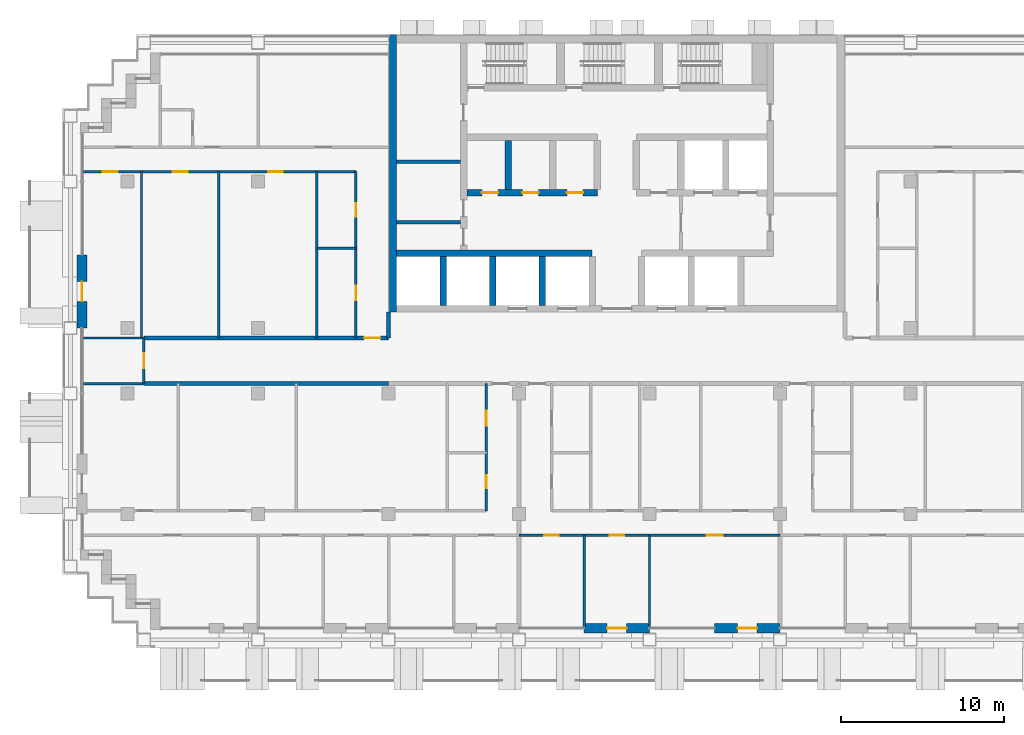
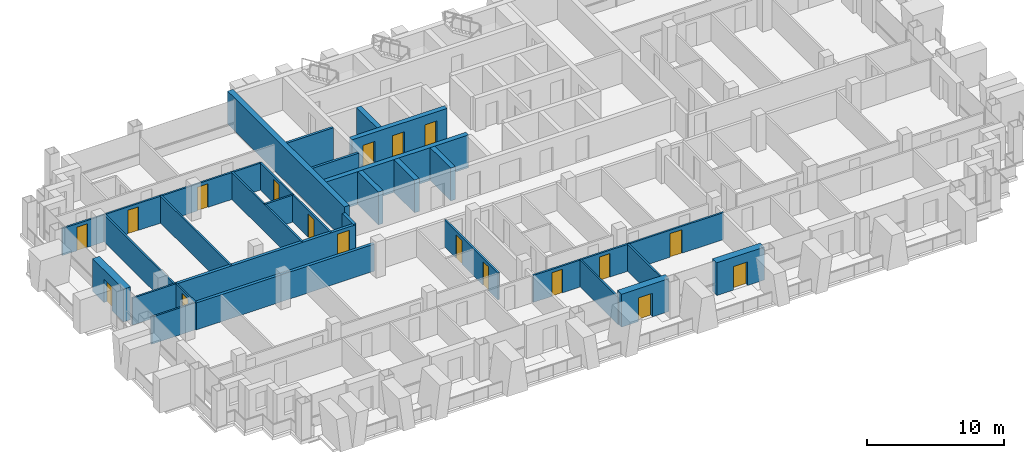
# One storey, part 8 of 16: 28 walls, 18 doors, 18 openings.
"""IFC4 building model written with IfcOpenShell, lengths in metres."""

from ifc_helpers import new_model, si_unit, direction, frame, frame_2d, origin, place, context, subcontext, project, spatial, rectangle, extrude, material, layer, layer_set, type_object, element, fill, save


model = new_model("IFC4")

# Units and contexts
model_context = context("Model", 3, precision=1e-05, world=origin(), true_north=direction((0.0, 1.0)))
body_context = subcontext(model_context, "Body", "Model", "MODEL_VIEW")
ifc_project = project(units=[si_unit("LENGTHUNIT", "METRE"), si_unit("AREAUNIT", "SQUARE_METRE"), si_unit("VOLUMEUNIT", "CUBIC_METRE"), si_unit("PLANEANGLEUNIT", "RADIAN"), si_unit("MASSUNIT", "GRAM", prefix="KILO")], contexts=[model_context])

# Site, building, storey
site_placement = place(None, origin())
site = spatial("IfcSite", under=ifc_project, at=site_placement, CompositionType="ELEMENT")
building_placement = place(site_placement, origin())
building = spatial("IfcBuilding", under=site, at=building_placement, Name="Vidyagriha Tower", CompositionType="ELEMENT")
storey_placement = place(building_placement, frame((0.0, 0.0, 132.60009765625)))
storey = spatial("IfcBuildingStorey", under=building, at=storey_placement, Name="L34", CompositionType="ELEMENT", Elevation=132.60009765625)

# Wall, opening, door
ifc_material_1 = material(Name="Precast concrete C40/50 with brick facing", Category="concrete")
ifc_layer_1 = layer(ifc_material_1, 0.60009765625)
ifc_layer_set_1 = layer_set([ifc_layer_1], Name="Precast concrete C40/50 with brick facing")
wall_type_1 = type_object("IfcWallType", Name="Brick-faced precast wall 600", PredefinedType="STANDARD", material=ifc_layer_set_1)
wall_1_placement = place(storey_placement, frame((-32.800048828125, 6.5, 0.0), z_axis=(0.0, 0.0, 1.0), x_axis=(0.0, -1.0, 0.0)))
wall_1 = element("IfcWall", 1, at=wall_1_placement, inside=storey, type_object=wall_type_1, Name="Brick door bay wall L34 R16.3", PredefinedType="STANDARD", context=body_context, shape_type="SweptSolid", body=[
    extrude(rectangle(XDim=4.5, YDim=0.60009765625, at=frame_2d((2.25, 0.0))), origin(), (0.0, 0.0, 1.0), 2.919921875),
])
opening_1_placement = place(wall_1_placement, frame((1.64990234375, 0.0, 0.0)))
opening_1 = element("IfcOpeningElement", 2, at=opening_1_placement, cuts=wall_1, Name="Opening D34-65", PredefinedType="OPENING", context=body_context, shape_type="SweptSolid", body=[
    extrude(rectangle(XDim=1.199951171875, YDim=2.10009765625, at=frame_2d((0.60009765625, 1.050048828125))), frame((0.0, 0.31005859375, 0.0), z_axis=(0.0, -1.0, 0.0), x_axis=(1.0, 0.0, 0.0)), (0.0, 0.0, 1.0), 0.6201171875),
])
ifc_material_2 = material(Name="Aluminium framed glazed sliding door", Category="aluminium")
door_type_1 = type_object("IfcDoorType", Name="Balcony sliding door 1200x2100", OperationType="NOTDEFINED", PredefinedType="DOOR", material=ifc_material_2)
door_1_placement = place(opening_1_placement, origin())
door_1 = element("IfcDoor", 3, at=door_1_placement, inside=storey, type_object=door_type_1, Name="Door D34-65", OperationType="SLIDING_TO_LEFT", OverallHeight=2.10009765625, OverallWidth=1.199951171875, PredefinedType="DOOR", context=body_context, shape_type="SweptSolid", body=[
    extrude(rectangle(XDim=1.199951171875, YDim=2.10009765625, at=frame_2d((0.60009765625, 1.050048828125))), frame((0.0, 0.02490234375, 0.0), z_axis=(0.0, -1.0, 0.0), x_axis=(1.0, 0.0, 0.0)), (0.0, 0.0, 1.0), 0.050048828125),
])
fill(opening_1, door_1)

wall_2_placement = place(storey_placement, frame((-2.0, -16.39990234375, 0.0)))
wall_2 = element("IfcWall", 4, at=wall_2_placement, inside=storey, type_object=wall_type_1, Name="Brick door bay wall L34 R23.8", PredefinedType="STANDARD", context=body_context, shape_type="SweptSolid", body=[
    extrude(rectangle(XDim=4.0, YDim=0.60009765625, at=frame_2d((2.0, 0.0))), origin(), (0.0, 0.0, 1.0), 2.919921875),
])
opening_2_placement = place(wall_2_placement, frame((1.39990234375, 0.0, 0.0)))
opening_2 = element("IfcOpeningElement", 5, at=opening_2_placement, cuts=wall_2, Name="Opening D34-70", PredefinedType="OPENING", context=body_context, shape_type="SweptSolid", body=[
    extrude(rectangle(XDim=1.199951171875, YDim=2.10009765625, at=frame_2d((0.60009765625, 1.050048828125))), frame((0.0, 0.31005859375, 0.0), z_axis=(0.0, -1.0, 0.0), x_axis=(1.0, 0.0, 0.0)), (0.0, 0.0, 1.0), 0.6201171875),
])
door_2_placement = place(opening_2_placement, origin())
door_2 = element("IfcDoor", 6, at=door_2_placement, inside=storey, type_object=door_type_1, Name="Door D34-70", OperationType="SLIDING_TO_LEFT", OverallHeight=2.10009765625, OverallWidth=1.199951171875, PredefinedType="DOOR", context=body_context, shape_type="SweptSolid", body=[
    extrude(rectangle(XDim=1.199951171875, YDim=2.10009765625, at=frame_2d((0.60009765625, 1.050048828125))), frame((0.0, 0.02490234375, 0.0), z_axis=(0.0, -1.0, 0.0), x_axis=(1.0, 0.0, 0.0)), (0.0, 0.0, 1.0), 0.050048828125),
])
fill(opening_2, door_2)

wall_3_placement = place(storey_placement, frame((6.0, -16.39990234375, 0.0)))
wall_3 = element("IfcWall", 7, at=wall_3_placement, inside=storey, type_object=wall_type_1, Name="Brick door bay wall L34 R23.10", PredefinedType="STANDARD", context=body_context, shape_type="SweptSolid", body=[
    extrude(rectangle(XDim=4.0, YDim=0.60009765625, at=frame_2d((2.0, 0.0))), origin(), (0.0, 0.0, 1.0), 2.919921875),
])
opening_3_placement = place(wall_3_placement, frame((1.39990234375, 0.0, 0.0)))
opening_3 = element("IfcOpeningElement", 8, at=opening_3_placement, cuts=wall_3, Name="Opening D34-71", PredefinedType="OPENING", context=body_context, shape_type="SweptSolid", body=[
    extrude(rectangle(XDim=1.199951171875, YDim=2.10009765625, at=frame_2d((0.60009765625, 1.050048828125))), frame((0.0, 0.31005859375, 0.0), z_axis=(0.0, -1.0, 0.0), x_axis=(1.0, 0.0, 0.0)), (0.0, 0.0, 1.0), 0.6201171875),
])
door_3_placement = place(opening_3_placement, origin())
door_3 = element("IfcDoor", 9, at=door_3_placement, inside=storey, type_object=door_type_1, Name="Door D34-71", OperationType="SLIDING_TO_LEFT", OverallHeight=2.10009765625, OverallWidth=1.199951171875, PredefinedType="DOOR", context=body_context, shape_type="SweptSolid", body=[
    extrude(rectangle(XDim=1.199951171875, YDim=2.10009765625, at=frame_2d((0.60009765625, 1.050048828125))), frame((0.0, 0.02490234375, 0.0), z_axis=(0.0, -1.0, 0.0), x_axis=(1.0, 0.0, 0.0)), (0.0, 0.0, 1.0), 0.050048828125),
])
fill(opening_3, door_3)

# Walls
ifc_material_3 = material(Name="Concrete C60/75", Category="concrete")
ifc_layer_2 = layer(ifc_material_3, 0.39990234375)
ifc_layer_set_2 = layer_set([ifc_layer_2], Name="Concrete C60/75")
wall_type_2 = type_object("IfcWallType", Name="Core shear wall 400 mm", PredefinedType="SHEAR", material=ifc_layer_set_2)
wall_4_placement = place(storey_placement, frame((-13.5, 6.60009765625, 0.0)))
element("IfcWall", 10, at=wall_4_placement, inside=storey, type_object=wall_type_2, Name="Core lobby south wall west", PredefinedType="SHEAR", context=body_context, shape_type="SweptSolid", body=[
    extrude(rectangle(XDim=11.977783203125, YDim=0.39990234375, at=frame_2d((5.98876953125, 0.0))), origin(), (0.0, 0.0, 1.0), 2.919921875),
])
for number, where, z_axis, x_axis, name in (
    (11, (-10.655517578125, 3.39990234375, 0.0), (0.0, 0.0, 1.0), (0.0, 1.0, 0.0), "Core bay wall S1"),
    (12, (-7.611083984375, 3.39990234375, 0.0), (0.0, 0.0, 1.0), (0.0, 1.0, 0.0), "Core bay wall S2"),
    (13, (-4.566650390625, 3.39990234375, 0.0), (0.0, 0.0, 1.0), (0.0, 1.0, 0.0), "Core bay wall S3"),
):
    element("IfcWall", number, at=place(storey_placement, frame(where, z_axis=z_axis, x_axis=x_axis)), inside=storey, type_object=wall_type_2, Name=name, PredefinedType="SHEAR", context=body_context, shape_type="SweptSolid", body=[
        extrude(rectangle(XDim=3.0, YDim=0.39990234375, at=frame_2d((1.5, 0.0))), origin(), (0.0, 0.0, 1.0), 2.919921875),
    ])

# Wall, openings, doors
wall_5_placement = place(storey_placement, frame((-9.199951171875, 10.300048828125, 0.0)))
wall_5 = element("IfcWall", 14, at=wall_5_placement, inside=storey, type_object=wall_type_2, Name="Core row N front wall", PredefinedType="SHEAR", context=body_context, shape_type="SweptSolid", body=[
    extrude(rectangle(XDim=8.0, YDim=0.39990234375, at=frame_2d((4.0, 0.0))), origin(), (0.0, 0.0, 1.0), 2.919921875),
])
opening_4_placement = place(wall_5_placement, frame((0.916748046875, 0.0, 0.0)))
opening_4 = element("IfcOpeningElement", 15, at=opening_4_placement, cuts=wall_5, Name="Opening D34-02", PredefinedType="OPENING", context=body_context, shape_type="SweptSolid", body=[
    extrude(rectangle(XDim=1.0, YDim=2.10009765625, at=frame_2d((0.5, 1.050048828125))), frame((0.0, 0.2099609375, 0.0), z_axis=(0.0, -1.0, 0.0), x_axis=(1.0, 0.0, 0.0)), (0.0, 0.0, 1.0), 0.419921875),
])
opening_5_placement = place(wall_5_placement, frame((3.39990234375, 0.0, 0.0)))
opening_5 = element("IfcOpeningElement", 16, at=opening_5_placement, cuts=wall_5, Name="Opening D34-03", PredefinedType="OPENING", context=body_context, shape_type="SweptSolid", body=[
    extrude(rectangle(XDim=1.0, YDim=2.10009765625, at=frame_2d((0.5, 1.050048828125))), frame((0.0, 0.2099609375, 0.0), z_axis=(0.0, -1.0, 0.0), x_axis=(1.0, 0.0, 0.0)), (0.0, 0.0, 1.0), 0.419921875),
])
opening_6_placement = place(wall_5_placement, frame((6.13330078125, 0.0, 0.0)))
opening_6 = element("IfcOpeningElement", 17, at=opening_6_placement, cuts=wall_5, Name="Opening D34-04", PredefinedType="OPENING", context=body_context, shape_type="SweptSolid", body=[
    extrude(rectangle(XDim=1.0, YDim=2.10009765625, at=frame_2d((0.5, 1.050048828125))), frame((0.0, 0.2099609375, 0.0), z_axis=(0.0, -1.0, 0.0), x_axis=(1.0, 0.0, 0.0)), (0.0, 0.0, 1.0), 0.419921875),
])
ifc_material_4 = material(Name="Hollow metal door leaf")
door_type_2 = type_object("IfcDoorType", Name="Core room door 1000 x 2100 mm EI 60", OperationType="NOTDEFINED", PredefinedType="DOOR", material=ifc_material_4)
door_4_placement = place(opening_4_placement, frame((1.0, 0.0, 0.0), z_axis=(0.0, 0.0, 1.0), x_axis=(-1.0, 0.0, 0.0)))
door_4 = element("IfcDoor", 18, at=door_4_placement, inside=storey, type_object=door_type_2, Name="Door Mechanical Riser Room 34.14", OperationType="SINGLE_SWING_RIGHT", OverallHeight=2.10009765625, OverallWidth=1.0, PredefinedType="DOOR", context=body_context, shape_type="SweptSolid", body=[
    extrude(rectangle(XDim=1.0, YDim=2.10009765625, at=frame_2d((0.5, 1.050048828125))), frame((0.0, 0.02490234375, 0.0), z_axis=(0.0, -1.0, 0.0), x_axis=(1.0, 0.0, 0.0)), (0.0, 0.0, 1.0), 0.050048828125),
])
fill(opening_4, door_4)
door_5_placement = place(opening_5_placement, frame((1.0, 0.0, 0.0), z_axis=(0.0, 0.0, 1.0), x_axis=(-1.0, 0.0, 0.0)))
door_5 = element("IfcDoor", 19, at=door_5_placement, inside=storey, type_object=door_type_2, Name="Door Storage Room 34.15", OperationType="SINGLE_SWING_RIGHT", OverallHeight=2.10009765625, OverallWidth=1.0, PredefinedType="DOOR", context=body_context, shape_type="SweptSolid", body=[
    extrude(rectangle(XDim=1.0, YDim=2.10009765625, at=frame_2d((0.5, 1.050048828125))), frame((0.0, 0.02490234375, 0.0), z_axis=(0.0, -1.0, 0.0), x_axis=(1.0, 0.0, 0.0)), (0.0, 0.0, 1.0), 0.050048828125),
])
fill(opening_5, door_5)
door_6_placement = place(opening_6_placement, frame((1.0, 0.0, 0.0), z_axis=(0.0, 0.0, 1.0), x_axis=(-1.0, 0.0, 0.0)))
door_6 = element("IfcDoor", 20, at=door_6_placement, inside=storey, type_object=door_type_2, Name="Door Communications Room 34.16", OperationType="SINGLE_SWING_LEFT", OverallHeight=2.10009765625, OverallWidth=1.0, PredefinedType="DOOR", context=body_context, shape_type="SweptSolid", body=[
    extrude(rectangle(XDim=1.0, YDim=2.10009765625, at=frame_2d((0.5, 1.050048828125))), frame((0.0, 0.02490234375, 0.0), z_axis=(0.0, -1.0, 0.0), x_axis=(1.0, 0.0, 0.0)), (0.0, 0.0, 1.0), 0.050048828125),
])
fill(opening_6, door_6)

# Walls
wall_6_placement = place(storey_placement, frame((-6.666748046875, 10.5, 0.0), z_axis=(0.0, 0.0, 1.0), x_axis=(0.0, 1.0, 0.0)))
element("IfcWall", 21, at=wall_6_placement, inside=storey, type_object=wall_type_2, Name="Core bay wall N1", PredefinedType="SHEAR", context=body_context, shape_type="SweptSolid", body=[
    extrude(rectangle(XDim=3.0, YDim=0.39990234375, at=frame_2d((1.5, 0.0))), origin(), (0.0, 0.0, 1.0), 2.919921875),
])
ifc_material_5 = material(Name="Concrete C60/75", Category="concrete")
ifc_layer_3 = layer(ifc_material_5, 0.449951171875)
ifc_layer_set_3 = layer_set([ifc_layer_3], Name="Concrete C60/75")
wall_type_3 = type_object("IfcWallType", Name="Core shear wall 450 mm", PredefinedType="SHEAR", material=ifc_layer_set_3)
wall_7_placement = place(storey_placement, frame((-13.72509765625, 3.0, 0.0), z_axis=(0.0, 0.0, 1.0), x_axis=(0.0, 1.0, 0.0)))
element("IfcWall", 22, at=wall_7_placement, inside=storey, type_object=wall_type_3, Name="Core west wall", PredefinedType="SHEAR", context=body_context, shape_type="SweptSolid", body=[
    extrude(rectangle(XDim=17.0, YDim=0.449951171875, at=frame_2d((8.5, 0.0))), origin(), (0.0, 0.0, 1.0), 2.919921875),
])
ifc_material_6 = material(Name="Fired clay brick masonry", Category="masonry")
ifc_layer_4 = layer(ifc_material_6, 0.25)
ifc_layer_set_4 = layer_set([ifc_layer_4], Name="Fired clay brick masonry")
wall_type_4 = type_object("IfcWallType", Name="Fired clay brick corridor wall 250", PredefinedType="PARTITIONING", material=ifc_layer_set_4)
wall_8_placement = place(storey_placement, frame((-14.0, -1.39990234375, 0.0), z_axis=(0.0, 0.0, 1.0), x_axis=(-1.0, 0.0, 0.0)))
element("IfcWall", 23, at=wall_8_placement, inside=storey, type_object=wall_type_4, Name="Wall all-L34-w063", PredefinedType="PARTITIONING", context=body_context, shape_type="SweptSolid", body=[
    extrude(rectangle(XDim=15.0, YDim=0.25, at=frame_2d((7.5, 0.0))), origin(), (0.0, 0.0, 1.0), 2.39990234375),
])

# Wall, opening, door
wall_9_placement = place(storey_placement, frame((-29.0, 1.39990234375, 0.0)))
wall_9 = element("IfcWall", 24, at=wall_9_placement, inside=storey, type_object=wall_type_4, Name="Wall all-L34-w088", PredefinedType="PARTITIONING", context=body_context, shape_type="SweptSolid", body=[
    extrude(rectangle(XDim=15.0, YDim=0.25, at=frame_2d((7.5, 0.0))), origin(), (0.0, 0.0, 1.0), 2.39990234375),
])
opening_7_placement = place(wall_9_placement, frame((13.5, 0.0, 0.0)))
opening_7 = element("IfcOpeningElement", 25, at=opening_7_placement, cuts=wall_9, Name="Opening D34-54", PredefinedType="OPENING", context=body_context, shape_type="SweptSolid", body=[
    extrude(rectangle(XDim=1.0, YDim=2.10009765625, at=frame_2d((0.5, 1.050048828125))), frame((0.0, 0.135009765625, 0.0), z_axis=(0.0, -1.0, 0.0), x_axis=(1.0, 0.0, 0.0)), (0.0, 0.0, 1.0), 0.27001953125),
])
ifc_material_7 = material(Name="Fire-rated timber door leaf EI 60", Category="wood")
door_type_3 = type_object("IfcDoorType", Name="Flat entrance fire door 1000x2100", OperationType="NOTDEFINED", PredefinedType="DOOR", material=ifc_material_7)
door_7_placement = place(opening_7_placement, origin())
door_7 = element("IfcDoor", 26, at=door_7_placement, inside=storey, type_object=door_type_3, Name="Door D34-54", OperationType="SINGLE_SWING_RIGHT", OverallHeight=2.10009765625, OverallWidth=1.0, PredefinedType="DOOR", context=body_context, shape_type="SweptSolid", body=[
    extrude(rectangle(XDim=1.0, YDim=2.10009765625, at=frame_2d((0.5, 1.050048828125))), frame((0.0, 0.02490234375, 0.0), z_axis=(0.0, -1.0, 0.0), x_axis=(1.0, 0.0, 0.0)), (0.0, 0.0, 1.0), 0.050048828125),
])
fill(opening_7, door_7)

# Wall
wall_10_placement = place(storey_placement, frame((-14.0, 3.0, 0.0), z_axis=(0.0, 0.0, 1.0), x_axis=(0.0, -1.0, 0.0)))
element("IfcWall", 27, at=wall_10_placement, inside=storey, type_object=wall_type_4, Name="Wall all-L34-w113", PredefinedType="PARTITIONING", context=body_context, shape_type="SweptSolid", body=[
    extrude(rectangle(XDim=1.60009765625, YDim=0.25, at=frame_2d((0.800048828125, 0.0))), origin(), (0.0, 0.0, 1.0), 2.39990234375),
])

# Wall, openings, doors
ifc_material_8 = material(Name="Gypsum board partition")
ifc_layer_5 = layer(ifc_material_8, 0.14990234375)
ifc_layer_set_5 = layer_set([ifc_layer_5], Name="Gypsum board partition")
wall_type_5 = type_object("IfcWallType", Name="Gypsum board partition 150", PredefinedType="PARTITIONING", material=ifc_layer_set_5)
wall_11_placement = place(storey_placement, frame((10.0, -10.699951171875, 0.0), z_axis=(0.0, 0.0, 1.0), x_axis=(-1.0, 0.0, 0.0)))
wall_11 = element("IfcWall", 28, at=wall_11_placement, inside=storey, type_object=wall_type_5, Name="Wall all-L34-w034", PredefinedType="PARTITIONING", context=body_context, shape_type="SweptSolid", body=[
    extrude(rectangle(XDim=16.0, YDim=0.14990234375, at=frame_2d((8.0, 0.0))), origin(), (0.0, 0.0, 1.0), 2.39990234375),
])
opening_8_placement = place(wall_11_placement, frame((13.550048828125, 0.0, 0.0)))
opening_8 = element("IfcOpeningElement", 29, at=opening_8_placement, cuts=wall_11, Name="Opening D34-31", PredefinedType="OPENING", context=body_context, shape_type="SweptSolid", body=[
    extrude(rectangle(XDim=0.89990234375, YDim=2.10009765625, at=frame_2d((0.449951171875, 1.050048828125))), frame((0.0, 0.0849609375, 0.0), z_axis=(0.0, -1.0, 0.0), x_axis=(1.0, 0.0, 0.0)), (0.0, 0.0, 1.0), 0.169921875),
])
opening_9_placement = place(wall_11_placement, frame((9.550048828125, 0.0, 0.0)))
opening_9 = element("IfcOpeningElement", 30, at=opening_9_placement, cuts=wall_11, Name="Opening D34-32", PredefinedType="OPENING", context=body_context, shape_type="SweptSolid", body=[
    extrude(rectangle(XDim=0.89990234375, YDim=2.10009765625, at=frame_2d((0.449951171875, 1.050048828125))), frame((0.0, 0.0849609375, 0.0), z_axis=(0.0, -1.0, 0.0), x_axis=(1.0, 0.0, 0.0)), (0.0, 0.0, 1.0), 0.169921875),
])
opening_10_placement = place(wall_11_placement, frame((3.5, 0.0, 0.0)))
opening_10 = element("IfcOpeningElement", 31, at=opening_10_placement, cuts=wall_11, Name="Opening D34-33", PredefinedType="OPENING", context=body_context, shape_type="SweptSolid", body=[
    extrude(rectangle(XDim=1.0, YDim=2.10009765625, at=frame_2d((0.5, 1.050048828125))), frame((0.0, 0.0849609375, 0.0), z_axis=(0.0, -1.0, 0.0), x_axis=(1.0, 0.0, 0.0)), (0.0, 0.0, 1.0), 0.169921875),
])
ifc_material_9 = material(Name="Timber door leaf", Category="wood")
door_type_4 = type_object("IfcDoorType", Name="Room door 1000x2100", OperationType="NOTDEFINED", PredefinedType="DOOR", material=ifc_material_9)
door_8_placement = place(opening_10_placement, origin())
door_8 = element("IfcDoor", 32, at=door_8_placement, inside=storey, type_object=door_type_4, Name="Door D34-33", OperationType="SINGLE_SWING_RIGHT", OverallHeight=2.10009765625, OverallWidth=1.0, PredefinedType="DOOR", context=body_context, shape_type="SweptSolid", body=[
    extrude(rectangle(XDim=1.0, YDim=2.10009765625, at=frame_2d((0.5, 1.050048828125))), frame((0.0, 0.02490234375, 0.0), z_axis=(0.0, -1.0, 0.0), x_axis=(1.0, 0.0, 0.0)), (0.0, 0.0, 1.0), 0.050048828125),
])
fill(opening_10, door_8)
ifc_material_10 = material(Name="Timber door leaf", Category="wood")
door_type_5 = type_object("IfcDoorType", Name="Room door 900x2100", OperationType="NOTDEFINED", PredefinedType="DOOR", material=ifc_material_10)
door_9_placement = place(opening_8_placement, origin())
door_9 = element("IfcDoor", 33, at=door_9_placement, inside=storey, type_object=door_type_5, Name="Door D34-31", OperationType="SINGLE_SWING_RIGHT", OverallHeight=2.10009765625, OverallWidth=0.89990234375, PredefinedType="DOOR", context=body_context, shape_type="SweptSolid", body=[
    extrude(rectangle(XDim=0.89990234375, YDim=2.10009765625, at=frame_2d((0.449951171875, 1.050048828125))), frame((0.0, 0.02490234375, 0.0), z_axis=(0.0, -1.0, 0.0), x_axis=(1.0, 0.0, 0.0)), (0.0, 0.0, 1.0), 0.050048828125),
])
fill(opening_8, door_9)
door_10_placement = place(opening_9_placement, origin())
door_10 = element("IfcDoor", 34, at=door_10_placement, inside=storey, type_object=door_type_5, Name="Door D34-32", OperationType="SINGLE_SWING_RIGHT", OverallHeight=2.10009765625, OverallWidth=0.89990234375, PredefinedType="DOOR", context=body_context, shape_type="SweptSolid", body=[
    extrude(rectangle(XDim=0.89990234375, YDim=2.10009765625, at=frame_2d((0.449951171875, 1.050048828125))), frame((0.0, 0.02490234375, 0.0), z_axis=(0.0, -1.0, 0.0), x_axis=(1.0, 0.0, 0.0)), (0.0, 0.0, 1.0), 0.050048828125),
])
fill(opening_9, door_10)

# Walls
wall_12_placement = place(storey_placement, frame((-2.0, -10.699951171875, 0.0), z_axis=(0.0, 0.0, 1.0), x_axis=(0.0, -1.0, 0.0)))
element("IfcWall", 35, at=wall_12_placement, inside=storey, type_object=wall_type_5, Name="Wall all-L34-w038", PredefinedType="PARTITIONING", context=body_context, shape_type="SweptSolid", body=[
    extrude(rectangle(XDim=5.62109375, YDim=0.14990234375, at=frame_2d((2.810546875, 0.0))), origin(), (0.0, 0.0, 1.0), 2.39990234375),
])
wall_13_placement = place(storey_placement, frame((2.0, -10.699951171875, 0.0), z_axis=(0.0, 0.0, 1.0), x_axis=(0.0, -1.0, 0.0)))
element("IfcWall", 36, at=wall_13_placement, inside=storey, type_object=wall_type_5, Name="Wall all-L34-w039", PredefinedType="PARTITIONING", context=body_context, shape_type="SweptSolid", body=[
    extrude(rectangle(XDim=5.610107421875, YDim=0.14990234375, at=frame_2d((2.80517578125, 0.0))), origin(), (0.0, 0.0, 1.0), 2.39990234375),
])
wall_14_placement = place(storey_placement, frame((-29.0, -1.39990234375, 0.0), z_axis=(0.0, 0.0, 1.0), x_axis=(-1.0, 0.0, 0.0)))
element("IfcWall", 37, at=wall_14_placement, inside=storey, type_object=wall_type_5, Name="Wall all-L34-w064", PredefinedType="PARTITIONING", context=body_context, shape_type="SweptSolid", body=[
    extrude(rectangle(XDim=3.719970703125, YDim=0.14990234375, at=frame_2d((1.85986328125, 0.0))), origin(), (0.0, 0.0, 1.0), 2.39990234375),
])
wall_15_placement = place(storey_placement, frame((-18.39990234375, 6.89990234375, 0.0)))
element("IfcWall", 38, at=wall_15_placement, inside=storey, type_object=wall_type_5, Name="Wall all-L34-w070", PredefinedType="PARTITIONING", context=body_context, shape_type="SweptSolid", body=[
    extrude(rectangle(XDim=2.39990234375, YDim=0.14990234375, at=frame_2d((1.199951171875, 0.0))), origin(), (0.0, 0.0, 1.0), 2.39990234375),
])
for number, where, z_axis, x_axis, name in (
    (39, (-18.39990234375, 1.39990234375, 0.0), (0.0, 0.0, 1.0), (0.0, 1.0, 0.0), "Wall all-L34-w071"),
    (40, (-24.39990234375, 1.39990234375, 0.0), (0.0, 0.0, 1.0), (0.0, 1.0, 0.0), "Wall all-L34-w072"),
    (41, (-29.14990234375, 1.39990234375, 0.0), (0.0, 0.0, 1.0), (0.0, 1.0, 0.0), "Wall all-L34-w073"),
):
    element("IfcWall", number, at=place(storey_placement, frame(where, z_axis=z_axis, x_axis=x_axis)), inside=storey, type_object=wall_type_5, Name=name, PredefinedType="PARTITIONING", context=body_context, shape_type="SweptSolid", body=[
        extrude(rectangle(XDim=10.2001953125, YDim=0.14990234375, at=frame_2d((5.10009765625, 0.0))), origin(), (0.0, 0.0, 1.0), 2.39990234375),
    ])

# Wall, openings, doors
wall_16_placement = place(storey_placement, frame((-16.0, 11.60009765625, 0.0), z_axis=(0.0, 0.0, 1.0), x_axis=(-1.0, 0.0, 0.0)))
wall_16 = element("IfcWall", 42, at=wall_16_placement, inside=storey, type_object=wall_type_5, Name="Wall all-L34-w074", PredefinedType="PARTITIONING", context=body_context, shape_type="SweptSolid", body=[
    extrude(rectangle(XDim=16.719970703125, YDim=0.14990234375, at=frame_2d((8.35986328125, 0.0))), origin(), (0.0, 0.0, 1.0), 2.39990234375),
])
opening_11_placement = place(wall_16_placement, frame((4.48193359375, 0.0, 0.0)))
opening_11 = element("IfcOpeningElement", 43, at=opening_11_placement, cuts=wall_16, Name="Opening D34-47", PredefinedType="OPENING", context=body_context, shape_type="SweptSolid", body=[
    extrude(rectangle(XDim=0.89990234375, YDim=2.10009765625, at=frame_2d((0.449951171875, 1.050048828125))), frame((0.0, 0.0849609375, 0.0), z_axis=(0.0, -1.0, 0.0), x_axis=(1.0, 0.0, 0.0)), (0.0, 0.0, 1.0), 0.169921875),
])
opening_12_placement = place(wall_16_placement, frame((10.324951171875, 0.0, 0.0)))
opening_12 = element("IfcOpeningElement", 44, at=opening_12_placement, cuts=wall_16, Name="Opening D34-48", PredefinedType="OPENING", context=body_context, shape_type="SweptSolid", body=[
    extrude(rectangle(XDim=0.89990234375, YDim=2.10009765625, at=frame_2d((0.449951171875, 1.050048828125))), frame((0.0, 0.0849609375, 0.0), z_axis=(0.0, -1.0, 0.0), x_axis=(1.0, 0.0, 0.0)), (0.0, 0.0, 1.0), 0.169921875),
])
opening_13_placement = place(wall_16_placement, frame((14.617919921875, 0.0, 0.0)))
opening_13 = element("IfcOpeningElement", 45, at=opening_13_placement, cuts=wall_16, Name="Opening D34-49", PredefinedType="OPENING", context=body_context, shape_type="SweptSolid", body=[
    extrude(rectangle(XDim=0.89990234375, YDim=2.10009765625, at=frame_2d((0.449951171875, 1.050048828125))), frame((0.0, 0.0849609375, 0.0), z_axis=(0.0, -1.0, 0.0), x_axis=(1.0, 0.0, 0.0)), (0.0, 0.0, 1.0), 0.169921875),
])
door_11_placement = place(opening_11_placement, origin())
door_11 = element("IfcDoor", 46, at=door_11_placement, inside=storey, type_object=door_type_5, Name="Door D34-47", OperationType="SINGLE_SWING_LEFT", OverallHeight=2.10009765625, OverallWidth=0.89990234375, PredefinedType="DOOR", context=body_context, shape_type="SweptSolid", body=[
    extrude(rectangle(XDim=0.89990234375, YDim=2.10009765625, at=frame_2d((0.449951171875, 1.050048828125))), frame((0.0, 0.02490234375, 0.0), z_axis=(0.0, -1.0, 0.0), x_axis=(1.0, 0.0, 0.0)), (0.0, 0.0, 1.0), 0.050048828125),
])
fill(opening_11, door_11)
door_12_placement = place(opening_12_placement, origin())
door_12 = element("IfcDoor", 47, at=door_12_placement, inside=storey, type_object=door_type_5, Name="Door D34-48", OperationType="SINGLE_SWING_RIGHT", OverallHeight=2.10009765625, OverallWidth=0.89990234375, PredefinedType="DOOR", context=body_context, shape_type="SweptSolid", body=[
    extrude(rectangle(XDim=0.89990234375, YDim=2.10009765625, at=frame_2d((0.449951171875, 1.050048828125))), frame((0.0, 0.02490234375, 0.0), z_axis=(0.0, -1.0, 0.0), x_axis=(1.0, 0.0, 0.0)), (0.0, 0.0, 1.0), 0.050048828125),
])
fill(opening_12, door_12)
door_13_placement = place(opening_13_placement, origin())
door_13 = element("IfcDoor", 48, at=door_13_placement, inside=storey, type_object=door_type_5, Name="Door D34-49", OperationType="SINGLE_SWING_RIGHT", OverallHeight=2.10009765625, OverallWidth=0.89990234375, PredefinedType="DOOR", context=body_context, shape_type="SweptSolid", body=[
    extrude(rectangle(XDim=0.89990234375, YDim=2.10009765625, at=frame_2d((0.449951171875, 1.050048828125))), frame((0.0, 0.02490234375, 0.0), z_axis=(0.0, -1.0, 0.0), x_axis=(1.0, 0.0, 0.0)), (0.0, 0.0, 1.0), 0.050048828125),
])
fill(opening_13, door_13)

# Wall
wall_17_placement = place(storey_placement, frame((-32.719970703125, 1.39990234375, 0.0)))
element("IfcWall", 49, at=wall_17_placement, inside=storey, type_object=wall_type_5, Name="Wall all-L34-w089", PredefinedType="PARTITIONING", context=body_context, shape_type="SweptSolid", body=[
    extrude(rectangle(XDim=3.719970703125, YDim=0.14990234375, at=frame_2d((1.85986328125, 0.0))), origin(), (0.0, 0.0, 1.0), 2.39990234375),
])

# Wall, opening, door
wall_18_placement = place(storey_placement, frame((-29.0, 1.39990234375, 0.0), z_axis=(0.0, 0.0, 1.0), x_axis=(0.0, -1.0, 0.0)))
wall_18 = element("IfcWall", 50, at=wall_18_placement, inside=storey, type_object=wall_type_5, Name="Wall all-L34-w108", PredefinedType="PARTITIONING", context=body_context, shape_type="SweptSolid", body=[
    extrude(rectangle(XDim=2.7998046875, YDim=0.14990234375, at=frame_2d((1.39990234375, 0.0))), origin(), (0.0, 0.0, 1.0), 2.39990234375),
])
opening_14_placement = place(wall_18_placement, frame((0.949951171875, 0.0, 0.0)))
opening_14 = element("IfcOpeningElement", 51, at=opening_14_placement, cuts=wall_18, Name="Opening D34-63", PredefinedType="OPENING", context=body_context, shape_type="SweptSolid", body=[
    extrude(rectangle(XDim=0.89990234375, YDim=2.10009765625, at=frame_2d((0.449951171875, 1.050048828125))), frame((0.0, 0.0849609375, 0.0), z_axis=(0.0, -1.0, 0.0), x_axis=(1.0, 0.0, 0.0)), (0.0, 0.0, 1.0), 0.169921875),
])
door_14_placement = place(opening_14_placement, origin())
door_14 = element("IfcDoor", 52, at=door_14_placement, inside=storey, type_object=door_type_5, Name="Door D34-63", OperationType="SINGLE_SWING_RIGHT", OverallHeight=2.10009765625, OverallWidth=0.89990234375, PredefinedType="DOOR", context=body_context, shape_type="SweptSolid", body=[
    extrude(rectangle(XDim=0.89990234375, YDim=2.10009765625, at=frame_2d((0.449951171875, 1.050048828125))), frame((0.0, 0.02490234375, 0.0), z_axis=(0.0, -1.0, 0.0), x_axis=(1.0, 0.0, 0.0)), (0.0, 0.0, 1.0), 0.050048828125),
])
fill(opening_14, door_14)

# Wall, openings, doors
ifc_material_11 = material(Name="Moisture resistant gypsum board partition")
ifc_layer_6 = layer(ifc_material_11, 0.14990234375)
ifc_layer_set_6 = layer_set([ifc_layer_6], Name="Moisture resistant gypsum board partition")
wall_type_6 = type_object("IfcWallType", Name="Gypsum board wet-area partition 150", PredefinedType="PARTITIONING", material=ifc_layer_set_6)
wall_19_placement = place(storey_placement, frame((-8.0, -9.199951171875, 0.0), z_axis=(0.0, 0.0, 1.0), x_axis=(0.0, 1.0, 0.0)))
wall_19 = element("IfcWall", 53, at=wall_19_placement, inside=storey, type_object=wall_type_6, Name="Wall all-L34-w001", PredefinedType="PARTITIONING", context=body_context, shape_type="SweptSolid", body=[
    extrude(rectangle(XDim=7.800048828125, YDim=0.14990234375, at=frame_2d((3.89990234375, 0.0))), origin(), (0.0, 0.0, 1.0), 2.39990234375),
])
opening_15_placement = place(wall_19_placement, frame((5.22509765625, 0.0, 0.0)))
opening_15 = element("IfcOpeningElement", 54, at=opening_15_placement, cuts=wall_19, Name="Opening D34-15", PredefinedType="OPENING", context=body_context, shape_type="SweptSolid", body=[
    extrude(rectangle(XDim=0.89990234375, YDim=2.10009765625, at=frame_2d((0.449951171875, 1.050048828125))), frame((0.0, 0.0849609375, 0.0), z_axis=(0.0, -1.0, 0.0), x_axis=(1.0, 0.0, 0.0)), (0.0, 0.0, 1.0), 0.169921875),
])
opening_16_placement = place(wall_19_placement, frame((1.375, 0.0, 0.0)))
opening_16 = element("IfcOpeningElement", 55, at=opening_16_placement, cuts=wall_19, Name="Opening D34-16", PredefinedType="OPENING", context=body_context, shape_type="SweptSolid", body=[
    extrude(rectangle(XDim=0.800048828125, YDim=2.10009765625, at=frame_2d((0.39990234375, 1.050048828125))), frame((0.0, 0.0849609375, 0.0), z_axis=(0.0, -1.0, 0.0), x_axis=(1.0, 0.0, 0.0)), (0.0, 0.0, 1.0), 0.169921875),
])
ifc_material_12 = material(Name="Timber door leaf", Category="wood")
door_type_6 = type_object("IfcDoorType", Name="Bathroom door 800x2100", OperationType="NOTDEFINED", PredefinedType="DOOR", material=ifc_material_12)
door_15_placement = place(opening_16_placement, origin())
door_15 = element("IfcDoor", 56, at=door_15_placement, inside=storey, type_object=door_type_6, Name="Door D34-16", OperationType="SINGLE_SWING_RIGHT", OverallHeight=2.10009765625, OverallWidth=0.800048828125, PredefinedType="DOOR", context=body_context, shape_type="SweptSolid", body=[
    extrude(rectangle(XDim=0.800048828125, YDim=2.10009765625, at=frame_2d((0.39990234375, 1.050048828125))), frame((0.0, 0.02490234375, 0.0), z_axis=(0.0, -1.0, 0.0), x_axis=(1.0, 0.0, 0.0)), (0.0, 0.0, 1.0), 0.050048828125),
])
fill(opening_16, door_15)
ifc_material_13 = material(Name="Timber door leaf", Category="wood")
door_type_7 = type_object("IfcDoorType", Name="Kitchen door 900x2100", OperationType="NOTDEFINED", PredefinedType="DOOR", material=ifc_material_13)
door_16_placement = place(opening_15_placement, origin())
door_16 = element("IfcDoor", 57, at=door_16_placement, inside=storey, type_object=door_type_7, Name="Door D34-15", OperationType="SINGLE_SWING_LEFT", OverallHeight=2.10009765625, OverallWidth=0.89990234375, PredefinedType="DOOR", context=body_context, shape_type="SweptSolid", body=[
    extrude(rectangle(XDim=0.89990234375, YDim=2.10009765625, at=frame_2d((0.449951171875, 1.050048828125))), frame((0.0, 0.02490234375, 0.0), z_axis=(0.0, -1.0, 0.0), x_axis=(1.0, 0.0, 0.0)), (0.0, 0.0, 1.0), 0.050048828125),
])
fill(opening_15, door_16)

wall_20_placement = place(storey_placement, frame((-16.0, 1.39990234375, 0.0), z_axis=(0.0, 0.0, 1.0), x_axis=(0.0, 1.0, 0.0)))
wall_20 = element("IfcWall", 58, at=wall_20_placement, inside=storey, type_object=wall_type_6, Name="Wall all-L34-w067", PredefinedType="PARTITIONING", context=body_context, shape_type="SweptSolid", body=[
    extrude(rectangle(XDim=10.2001953125, YDim=0.14990234375, at=frame_2d((5.10009765625, 0.0))), origin(), (0.0, 0.0, 1.0), 2.39990234375),
])
opening_17_placement = place(wall_20_placement, frame((2.300048828125, 0.0, 0.0)))
opening_17 = element("IfcOpeningElement", 59, at=opening_17_placement, cuts=wall_20, Name="Opening D34-45", PredefinedType="OPENING", context=body_context, shape_type="SweptSolid", body=[
    extrude(rectangle(XDim=0.89990234375, YDim=2.10009765625, at=frame_2d((0.449951171875, 1.050048828125))), frame((0.0, 0.0849609375, 0.0), z_axis=(0.0, -1.0, 0.0), x_axis=(1.0, 0.0, 0.0)), (0.0, 0.0, 1.0), 0.169921875),
])
opening_18_placement = place(wall_20_placement, frame((7.449951171875, 0.0, 0.0)))
opening_18 = element("IfcOpeningElement", 60, at=opening_18_placement, cuts=wall_20, Name="Opening D34-46", PredefinedType="OPENING", context=body_context, shape_type="SweptSolid", body=[
    extrude(rectangle(XDim=0.800048828125, YDim=2.10009765625, at=frame_2d((0.39990234375, 1.050048828125))), frame((0.0, 0.0849609375, 0.0), z_axis=(0.0, -1.0, 0.0), x_axis=(1.0, 0.0, 0.0)), (0.0, 0.0, 1.0), 0.169921875),
])
door_17_placement = place(opening_18_placement, origin())
door_17 = element("IfcDoor", 61, at=door_17_placement, inside=storey, type_object=door_type_6, Name="Door D34-46", OperationType="SINGLE_SWING_RIGHT", OverallHeight=2.10009765625, OverallWidth=0.800048828125, PredefinedType="DOOR", context=body_context, shape_type="SweptSolid", body=[
    extrude(rectangle(XDim=0.800048828125, YDim=2.10009765625, at=frame_2d((0.39990234375, 1.050048828125))), frame((0.0, 0.02490234375, 0.0), z_axis=(0.0, -1.0, 0.0), x_axis=(1.0, 0.0, 0.0)), (0.0, 0.0, 1.0), 0.050048828125),
])
fill(opening_18, door_17)
door_18_placement = place(opening_17_placement, origin())
door_18 = element("IfcDoor", 62, at=door_18_placement, inside=storey, type_object=door_type_7, Name="Door D34-45", OperationType="SINGLE_SWING_RIGHT", OverallHeight=2.10009765625, OverallWidth=0.89990234375, PredefinedType="DOOR", context=body_context, shape_type="SweptSolid", body=[
    extrude(rectangle(XDim=0.89990234375, YDim=2.10009765625, at=frame_2d((0.449951171875, 1.050048828125))), frame((0.0, 0.02490234375, 0.0), z_axis=(0.0, -1.0, 0.0), x_axis=(1.0, 0.0, 0.0)), (0.0, 0.0, 1.0), 0.050048828125),
])
fill(opening_17, door_18)

# Walls
ifc_material_14 = material(Name="Blockwork 15 MPa", Category="masonry")
ifc_layer_7 = layer(ifc_material_14, 0.199951171875)
ifc_layer_set_7 = layer_set([ifc_layer_7], Name="Blockwork 15 MPa")
wall_type_7 = type_object("IfcWallType", Name="Service room partition 200 mm", PredefinedType="PARTITIONING", material=ifc_layer_set_7)
for number, where, name in (
    (63, (-13.5, 8.5, 0.0), "Core room partition W1"),
    (64, (-13.5, 12.199951171875, 0.0), "Core room partition W2"),
):
    element("IfcWall", number, at=place(storey_placement, frame(where)), inside=storey, type_object=wall_type_7, Name=name, PredefinedType="PARTITIONING", context=body_context, shape_type="SweptSolid", body=[
        extrude(rectangle(XDim=3.89990234375, YDim=0.199951171875, at=frame_2d((1.949951171875, 0.0))), origin(), (0.0, 0.0, 1.0), 2.919921875),
    ])

save(model, "model.ifc")
